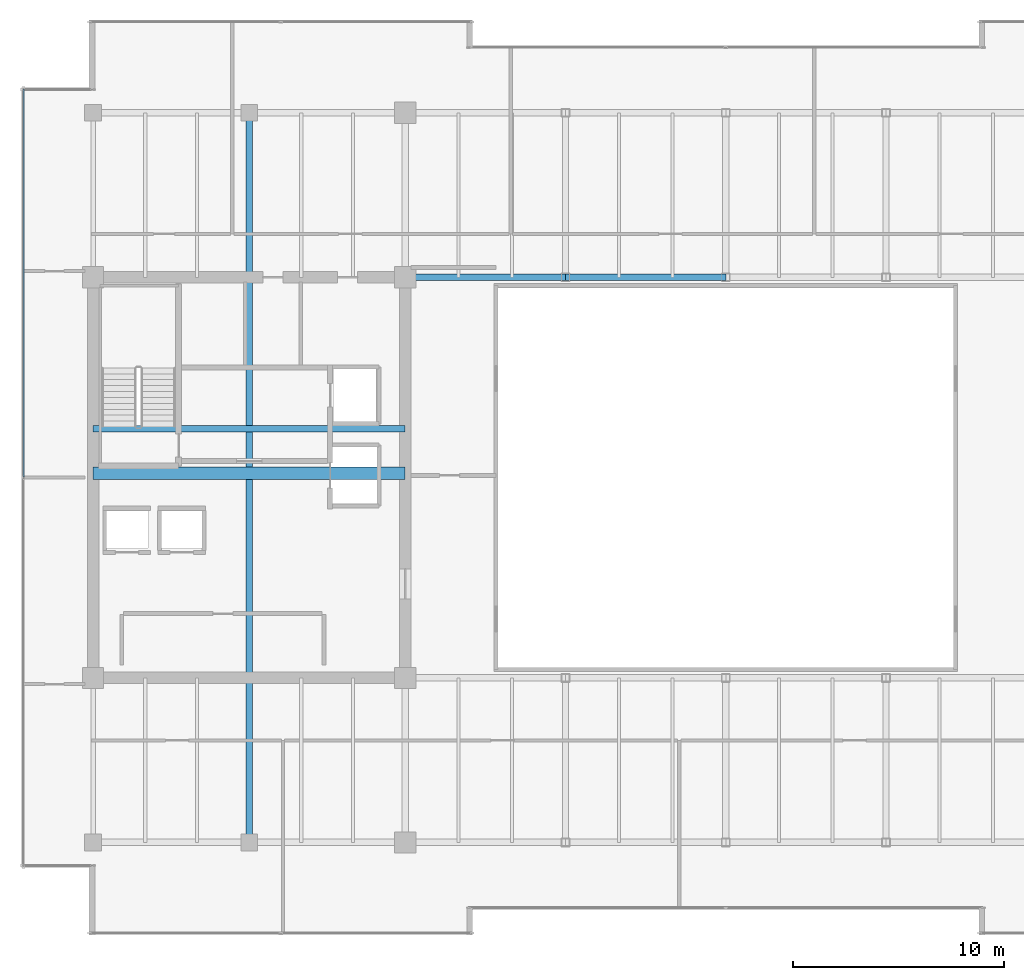
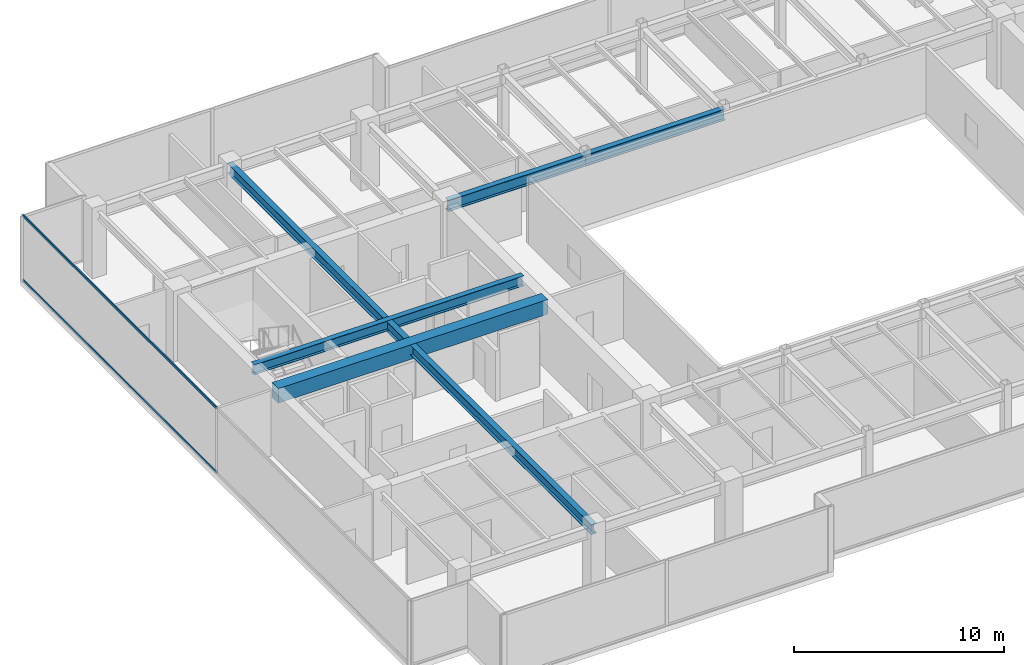
# One storey, part 10 of 33: 5 beams, 2 members, 1 element without a shape of its own.
"""IFC4 building model written with IfcOpenShell, lengths in metres."""

from ifc_helpers import new_model, si_unit, direction, frame, origin, origin_2d, place, context, subcontext, project, spatial, rectangle, hollow_rectangle, i_section, extrude, source, transform, mapped, material, layer, layer_set, material_profile, profile_set, type_object, type_shapes, element, aggregate, save


model = new_model("IFC4")

# Units and contexts
model_context = context("Model", 3, precision=1e-05, world=origin(), true_north=direction((0.0, 1.0)))
body_context = subcontext(model_context, "Body", "Model", "MODEL_VIEW")
ifc_project = project(units=[si_unit("LENGTHUNIT", "METRE"), si_unit("AREAUNIT", "SQUARE_METRE"), si_unit("VOLUMEUNIT", "CUBIC_METRE"), si_unit("PLANEANGLEUNIT", "RADIAN"), si_unit("MASSUNIT", "GRAM", prefix="KILO")], contexts=[model_context])

# Site, building, storey
site_placement = place(None, origin())
site = spatial("IfcSite", under=ifc_project, at=site_placement, CompositionType="ELEMENT")
building_placement = place(site_placement, origin())
building = spatial("IfcBuilding", under=site, at=building_placement, Name="Haelvirn Gate Laboratories", CompositionType="ELEMENT")
storey_placement = place(building_placement, frame((0.0, 0.0, 213.699951171875)))
storey = spatial("IfcBuildingStorey", under=building, at=storey_placement, Name="L51", CompositionType="ELEMENT", Elevation=213.699951171875)

# Beams
ifc_material_1 = material(Name="Steel SM355", Category="steel")
ifc_material_profile_1 = material_profile(ifc_material_1, i_section(OverallWidth=0.300048828125, OverallDepth=0.587890625, WebThickness=0.011962890625, FlangeThickness=0.02001953125, at=origin_2d()), Name="H-588x300x12x20")
ifc_profile_set_1 = profile_set([ifc_material_profile_1], Name="Steel SM355")
beam_type_1 = type_object("IfcBeamType", Name="BM-G-588", PredefinedType="BEAM", material=ifc_profile_set_1)
shared_shape_1 = source(origin(), body_context, "Body", "SweptSolid", [
    extrude(i_section(OverallWidth=0.300048828125, OverallDepth=0.587890625, WebThickness=0.011962890625, FlangeThickness=0.02001953125, at=origin_2d()), origin(), (0.0, 0.0, 1.0), 14.800048828125),
])
beam_1_placement = place(storey_placement, frame((7.39990234375, 26.6201171875, 3.506103515625), z_axis=(1.0, 0.0, 0.0), x_axis=(0.0, 1.0, 0.0)))
element("IfcBeam", 1, at=beam_1_placement, inside=storey, type_object=beam_type_1, Name="L51 Stair ST1 Landing Header", PredefinedType="BEAM", context=body_context, shape_type="MappedRepresentation", body=[
    mapped(shared_shape_1, transform((0.0, 0.0, 0.0), scale=1.0)),
])
shared_shape_2 = source(origin(), body_context, "Body", "SweptSolid", [
    extrude(i_section(OverallWidth=0.300048828125, OverallDepth=0.587890625, WebThickness=0.011962890625, FlangeThickness=0.02001953125, at=origin_2d()), origin(), (0.0, 0.0, 1.0), 34.60009765625),
])
type_shapes(beam_type_1, [shared_shape_1, shared_shape_2])
beam_2_placement = place(storey_placement, frame((14.800048828125, 7.0, 3.506103515625), z_axis=(0.0, 1.0, 0.0), x_axis=(-1.0, 0.0, 0.0)))
element("IfcBeam", 2, at=beam_2_placement, inside=storey, type_object=beam_type_1, Name="L51 Frame Girder X14.8 (7.0-41.6)", PredefinedType="BEAM", context=body_context, shape_type="MappedRepresentation", body=[
    mapped(shared_shape_2, transform((0.0, 0.0, 0.0), scale=1.0)),
])
ifc_material_2 = material(Name="Concrete C50/60", Category="concrete")
ifc_material_profile_2 = material_profile(ifc_material_2, rectangle(XDim=0.60009765625, YDim=0.85009765625, at=origin_2d()), Name="RCB-600x850")
ifc_profile_set_2 = profile_set([ifc_material_profile_2], Name="Concrete C50/60")
beam_type_2 = type_object("IfcBeamType", Name="BM-RCB-850", PredefinedType="LINTEL", material=ifc_profile_set_2)
shared_shape_3 = source(origin(), body_context, "Body", "SweptSolid", [
    extrude(rectangle(XDim=0.60009765625, YDim=0.85009765625, at=origin_2d()), origin(), (0.0, 0.0, 1.0), 14.800048828125),
])
type_shapes(beam_type_2, [shared_shape_3])
beam_3_placement = place(storey_placement, frame((7.39990234375, 24.5, 3.375), z_axis=(1.0, 0.0, 0.0), x_axis=(0.0, 1.0, 0.0)))
element("IfcBeam", 3, at=beam_3_placement, inside=storey, type_object=beam_type_2, Name="L51 West Core Coupling Beam", PredefinedType="LINTEL", context=body_context, shape_type="MappedRepresentation", body=[
    mapped(shared_shape_3, transform((0.0, 0.0, 0.0), scale=1.0)),
])
ifc_material_profile_3 = material_profile(ifc_material_1, i_section(OverallWidth=0.300048828125, OverallDepth=0.64990234375, WebThickness=0.012939453125, FlangeThickness=0.02197265625, at=origin_2d()), Name="H-650x300x13x22")
ifc_profile_set_3 = profile_set([ifc_material_profile_3], Name="Steel SM355")
beam_type_3 = type_object("IfcBeamType", Name="BM-G-650", PredefinedType="BEAM", material=ifc_profile_set_3)
shared_shape_4 = source(origin(), body_context, "Body", "SweptSolid", [
    extrude(i_section(OverallWidth=0.300048828125, OverallDepth=0.64990234375, WebThickness=0.012939453125, FlangeThickness=0.02197265625, at=origin_2d()), origin(), (0.0, 0.0, 1.0), 7.60009765625),
])
beam_4_placement = place(storey_placement, frame((22.199951171875, 33.800048828125, 3.47509765625), z_axis=(1.0, 0.0, 0.0), x_axis=(0.0, 1.0, 0.0)))
element("IfcBeam", 4, at=beam_4_placement, inside=storey, type_object=beam_type_3, Name="L51 Primary Girder Y33.8 (22.2-29.8)", PredefinedType="BEAM", context=body_context, shape_type="MappedRepresentation", body=[
    mapped(shared_shape_4, transform((0.0, 0.0, 0.0), scale=1.0)),
])
shared_shape_5 = source(origin(), body_context, "Body", "SweptSolid", [
    extrude(i_section(OverallWidth=0.300048828125, OverallDepth=0.64990234375, WebThickness=0.012939453125, FlangeThickness=0.02197265625, at=origin_2d()), origin(), (0.0, 0.0, 1.0), 7.599853515625),
])
type_shapes(beam_type_3, [shared_shape_4, shared_shape_5])
beam_5_placement = place(storey_placement, frame((29.800048828125, 33.800048828125, 3.47509765625), z_axis=(1.0, 0.0, 0.0), x_axis=(0.0, 1.0, 0.0)))
element("IfcBeam", 5, at=beam_5_placement, inside=storey, type_object=beam_type_3, Name="L51 Primary Girder Y33.8 (29.8-37.4)", PredefinedType="BEAM", context=body_context, shape_type="MappedRepresentation", body=[
    mapped(shared_shape_5, transform((0.0, 0.0, 0.0), scale=1.0)),
])

# Curtain wall, members
ifc_material_3 = material(Name="Anodised bronze unitised aluminium & triple low-E glass", Category="aluminium")
ifc_layer = layer(ifc_material_3, 0.176025390625, Name="CW-SYS-4")
ifc_layer_set = layer_set([ifc_layer], Name="Anodised bronze unitised aluminium & triple low-E glass")
curtain_wall_type = type_object("IfcCurtainWallType", Name="CW-SYS-4", PredefinedType="NOTDEFINED", material=ifc_layer_set)
curtain_wall_placement = place(storey_placement, origin())
curtain_wall = element("IfcCurtainWall", 6, at=curtain_wall_placement, inside=storey, type_object=curtain_wall_type, Name="L51 Unitised Curtain Wall CW-L51-P0-E17", PredefinedType="NOTDEFINED")
ifc_material_4 = material(Name="Extruded aluminium 6063-T6 (anodised bronze)", Category="aluminium")
ifc_material_profile_4 = material_profile(ifc_material_4, hollow_rectangle(XDim=0.06494140625, YDim=0.139892578125, WallThickness=0.00390625, at=origin_2d()), Name="CWT-140x65x4")
ifc_profile_set_4 = profile_set([ifc_material_profile_4], Name="Extruded aluminium 6063-T6 (anodised bronze)")
member_type = type_object("IfcMemberType", Name="CWT-T140", PredefinedType="USERDEFINED", material=ifc_profile_set_4)
shared_shape_6 = source(origin(), body_context, "Body", "SweptSolid", [
    extrude(hollow_rectangle(XDim=0.06494140625, YDim=0.139892578125, WallThickness=0.00390625, at=origin_2d()), origin(), (0.0, 0.0, 1.0), 18.39501953125),
])
type_shapes(member_type, [shared_shape_6])
member_1_placement = place(storey_placement, frame((4.10009765625, 42.72998046875, 0.032470703125), z_axis=(0.0, -1.0, 0.0), x_axis=(1.0, 0.0, 0.0)))
member_1 = element("IfcMember", 7, at=member_1_placement, type_object=member_type, Name="CW4 transom 1.1", ObjectType="TRANSOM", PredefinedType="USERDEFINED", context=body_context, shape_type="MappedRepresentation", body=[
    mapped(shared_shape_6, transform((0.0, 0.0, 0.0), scale=1.0)),
])
member_2_placement = place(storey_placement, frame((4.10009765625, 42.72998046875, 3.767578125), z_axis=(0.0, -1.0, 0.0), x_axis=(1.0, 0.0, 0.0)))
member_2 = element("IfcMember", 8, at=member_2_placement, type_object=member_type, Name="CW4 transom 1.2", ObjectType="TRANSOM", PredefinedType="USERDEFINED", context=body_context, shape_type="MappedRepresentation", body=[
    mapped(shared_shape_6, transform((0.0, 0.0, 0.0), scale=1.0)),
])
aggregate(curtain_wall, [member_1, member_2])

save(model, "model.ifc")
